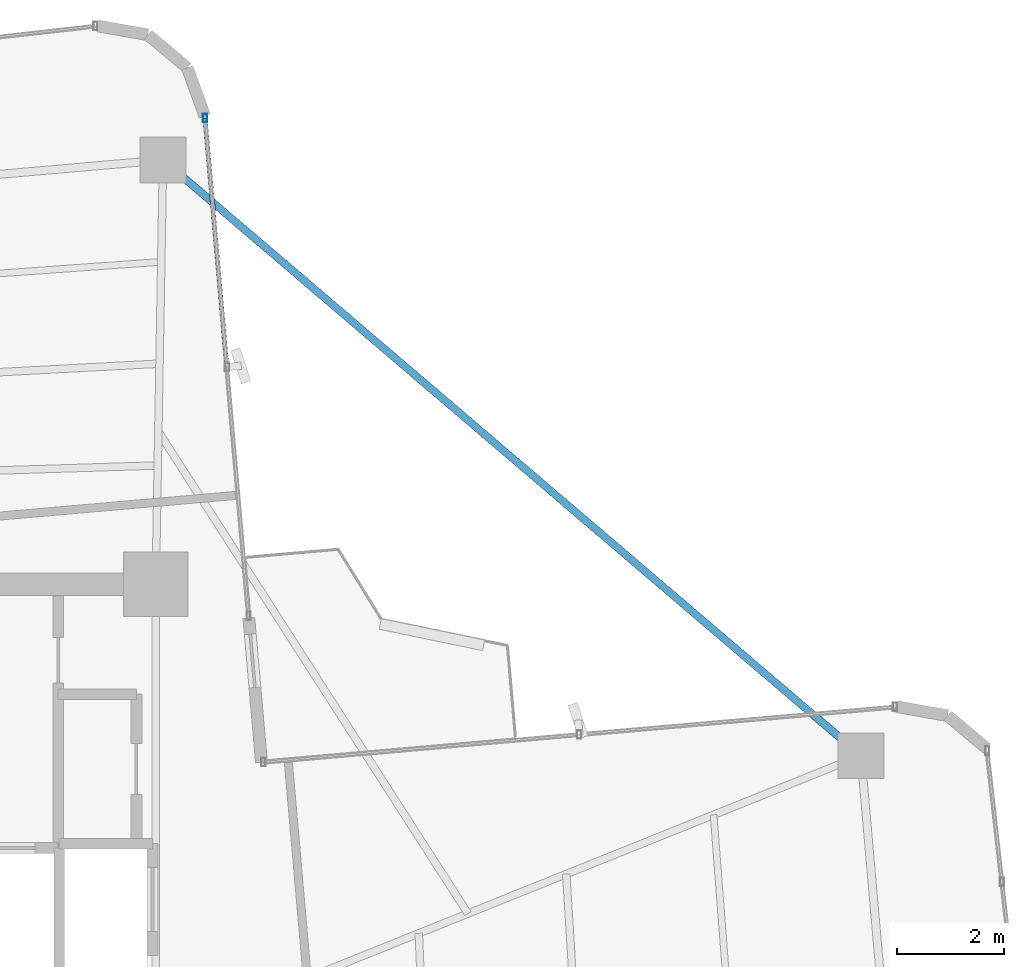
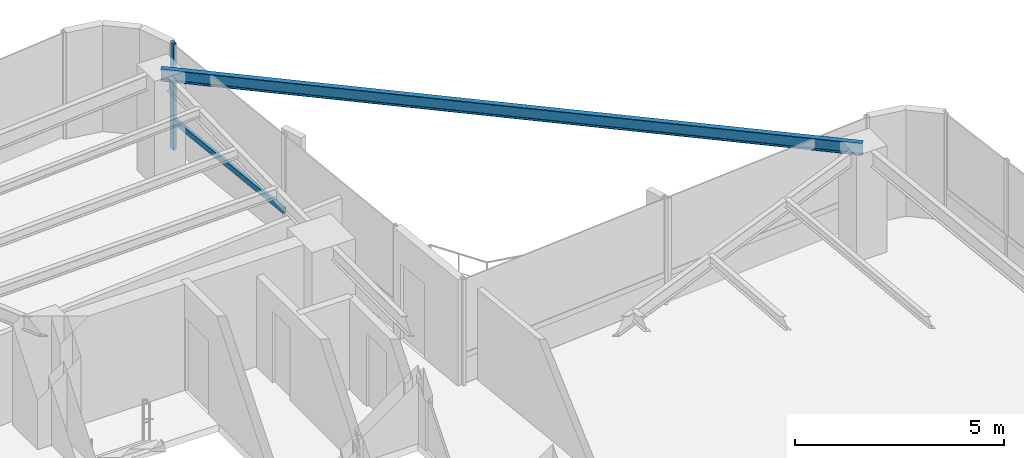
# One storey, part 17 of 24: 2 members, 1 beam, 1 element without a shape of its own.
"""IFC4 building model written with IfcOpenShell, lengths in metres."""

import ifcopenshell
import ifcopenshell.guid

model = None  # the IFC model being written
_history = None  # IfcOwnerHistory: only IFC2X3 demands one
_inside = {}  # id of a spatial element -> (the spatial element, [elements in it])
_under = {}  # id of a project, library or spatial element -> (it, [spatial elements below it])
_declared = {}  # id of a project -> (the project, [libraries it declares])
_typed = {}  # id of a type object -> (the type object, [elements of that type])
_made_of = {}  # id of a material, layer set ... -> (it, [elements and type objects made of it])


def new_model(schema):
    """Start an empty IFC model of exactly this schema.

    Asked for "IFC4X3", IfcOpenShell would pick the latest addendum, in which some entities
    have other attributes; the version numbers below select the first issue.
    IFC2X3 requires an IfcOwnerHistory on every rooted entity: one is made here for all.
    """
    global model, _history
    if schema == "IFC4X3":
        model = ifcopenshell.file(schema_version=(4, 3, 0, 0))
    else:
        model = ifcopenshell.file(schema=schema)
    _inside.clear()
    _under.clear()
    _declared.clear()
    _typed.clear()
    _made_of.clear()
    _history = None
    if model.schema == "IFC2X3":
        org = make("IfcOrganization", Name="unknown")
        user = make(
            "IfcPersonAndOrganization",
            ThePerson=make("IfcPerson", FamilyName="unknown"),
            TheOrganization=org,
        )
        app = make(
            "IfcApplication",
            ApplicationDeveloper=org,
            Version="unknown",
            ApplicationFullName="unknown",
            ApplicationIdentifier="unknown",
        )
        _history = make(
            "IfcOwnerHistory",
            OwningUser=user,
            OwningApplication=app,
            ChangeAction="ADDED",
            CreationDate=0,
        )
    return model


def make(cls, **values):
    """One entity of the class cls with the attributes given. An attribute that is None is left unset."""
    return model.create_entity(
        cls, **{name: value for name, value in values.items() if value is not None}
    )


def rooted(cls, **values):
    """An entity with a GlobalId (a new one), such as an element, a storey or a relation."""
    return make(cls, GlobalId=ifcopenshell.guid.new(), OwnerHistory=_history, **values)


def si_unit(unit_type, name, prefix=None):
    """IfcSIUnit, for example si_unit("LENGTHUNIT", "METRE", prefix="MILLI")."""
    return make("IfcSIUnit", UnitType=unit_type, Prefix=prefix, Name=name)


def assignment(units):
    """IfcUnitAssignment: the units of a project."""
    return None if units is None else make("IfcUnitAssignment", Units=units)


def point(xyz):
    """IfcCartesianPoint."""
    return None if xyz is None else make("IfcCartesianPoint", Coordinates=xyz)


def direction(xyz):
    """IfcDirection."""
    return None if xyz is None else make("IfcDirection", DirectionRatios=xyz)


def frame(location, z_axis=None, x_axis=None):
    """IfcAxis2Placement3D, a coordinate frame: its origin and axes. An axis left out is left unset."""
    return make(
        "IfcAxis2Placement3D",
        Location=point(location),
        Axis=direction(z_axis),
        RefDirection=direction(x_axis),
    )


def frame_2d(location, x_axis=None):
    """IfcAxis2Placement2D, a coordinate frame in the plane: its origin and x axis."""
    return make(
        "IfcAxis2Placement2D", Location=point(location), RefDirection=direction(x_axis)
    )


def origin():
    """The frame at (0, 0, 0) with its axes left unset."""
    return frame((0.0, 0.0, 0.0))


def origin_2d():
    """The frame at (0, 0) in the plane with its x axis left unset."""
    return frame_2d((0.0, 0.0))


def place(relative_to, where):
    """IfcLocalPlacement: puts the frame where relative to a parent placement (None: the world)."""
    return make(
        "IfcLocalPlacement", PlacementRelTo=relative_to, RelativePlacement=where
    )


def context(
    kind, dimensions, precision=None, world=None, true_north=None, identifier=None
):
    """IfcGeometricRepresentationContext, for example the 3D "Model" context."""
    return make(
        "IfcGeometricRepresentationContext",
        ContextIdentifier=identifier,
        ContextType=kind,
        CoordinateSpaceDimension=dimensions,
        Precision=precision,
        WorldCoordinateSystem=world,
        TrueNorth=true_north,
    )


def subcontext(parent, identifier, kind, view, scale=None):
    """IfcGeometricRepresentationSubContext, for example "Body" below "Model"."""
    return make(
        "IfcGeometricRepresentationSubContext",
        ContextIdentifier=identifier,
        ContextType=kind,
        ParentContext=parent,
        TargetScale=scale,
        TargetView=view,
    )


def project(units=None, contexts=None):
    """IfcProject with its units and contexts."""
    return rooted(
        "IfcProject",
        Name="project",
        RepresentationContexts=contexts,
        UnitsInContext=assignment(units),
    )


def spatial(cls, under=None, at=None, **own):
    """A site, building, storey or space (cls), placed at a placement, below another one or the project."""
    s = rooted(cls, ObjectPlacement=at, **own)
    if under is not None:
        _under.setdefault(under.id(), (under, []))[1].append(s)
    return s


def profile(cls, at=None, kind="AREA", **sizes):
    """A parametric profile (cls). Its sizes go by their IFC names, for example OverallWidth=200.0."""
    return make(cls, ProfileType=kind, Position=at, **sizes)


def hollow_rectangle(**sizes):
    """IfcRectangleHollowProfileDef."""
    return profile("IfcRectangleHollowProfileDef", **sizes)


def i_section(**sizes):
    """IfcIShapeProfileDef."""
    return profile("IfcIShapeProfileDef", **sizes)


def extrude(swept, where, along, depth):
    """IfcExtrudedAreaSolid: the profile swept, set in the frame where, extruded along a direction by depth."""
    return make(
        "IfcExtrudedAreaSolid",
        SweptArea=swept,
        Position=where,
        ExtrudedDirection=direction(along),
        Depth=depth,
    )


def shape(context_of_items, identifier, shape_type, items):
    """IfcShapeRepresentation: the items that make up one representation, for example the "Body"."""
    return make(
        "IfcShapeRepresentation",
        ContextOfItems=context_of_items,
        RepresentationIdentifier=identifier,
        RepresentationType=shape_type,
        Items=items,
    )


def source(mapping_origin, context_of_items, identifier, shape_type, items):
    """IfcRepresentationMap: a shape defined once, which mapped items show again and again."""
    return make(
        "IfcRepresentationMap",
        MappingOrigin=mapping_origin,
        MappedRepresentation=shape(context_of_items, identifier, shape_type, items),
    )


def transform(
    local_origin,
    x_axis=None,
    y_axis=None,
    z_axis=None,
    scale=None,
    scale2=None,
    scale3=None,
    uniform=True,
):
    """IfcCartesianTransformationOperator3D, or its non-uniform kind. x_axis, y_axis, z_axis: its Axis1, 2, 3."""
    if uniform:
        return make(
            "IfcCartesianTransformationOperator3D",
            Axis1=direction(x_axis),
            Axis2=direction(y_axis),
            LocalOrigin=point(local_origin),
            Scale=scale,
            Axis3=direction(z_axis),
        )
    return make(
        "IfcCartesianTransformationOperator3DnonUniform",
        Axis1=direction(x_axis),
        Axis2=direction(y_axis),
        LocalOrigin=point(local_origin),
        Scale=scale,
        Axis3=direction(z_axis),
        Scale2=scale2,
        Scale3=scale3,
    )


def mapped(mapping_source, mapping_target):
    """IfcMappedItem: shows the shape of a source again, moved by a transform."""
    return make(
        "IfcMappedItem", MappingSource=mapping_source, MappingTarget=mapping_target
    )


def material(Name=None, Category=None):
    """IfcMaterial."""
    return make("IfcMaterial", Name=Name, Category=Category)


def material_profile(
    of_material, cross_section, Name=None, Category=None, Priority=None
):
    """IfcMaterialProfile: a cross section and its material."""
    return make(
        "IfcMaterialProfile",
        Name=Name,
        Material=of_material,
        Profile=cross_section,
        Priority=Priority,
        Category=Category,
    )


def profile_set(profiles, Name=None, composite=None):
    """IfcMaterialProfileSet."""
    return make(
        "IfcMaterialProfileSet",
        Name=Name,
        MaterialProfiles=profiles,
        CompositeProfile=composite,
    )


def made_of(thing, what):
    """Note that an element or type object is made of a material, layer set ...; save() writes the relation."""
    if what is not None:
        _made_of.setdefault(what.id(), (what, []))[1].append(thing)
    return thing


def type_object(cls, material=None, **own):
    """A type object (cls), such as IfcWallType, which elements share."""
    return made_of(rooted(cls, **own), material)


def element(
    cls,
    number,
    at=None,
    inside=None,
    cuts=None,
    type_object=None,
    material=None,
    context=None,
    identifier="Body",
    shape_type=None,
    held_by="IfcProductDefinitionShape",
    body=None,
    shapes=None,
    **own,
):
    """One element of the class cls, such as IfcWall. Its Tag is "e" and its number.

    at: its placement. inside: the storey or other place that contains it. cuts: it is an
    opening in that element (IfcRelVoidsElement). A single representation is given by context,
    identifier, shape_type and body (its items); several are given by shapes. held_by: the class
    of the entity that holds the representations. save() writes the other relations.
    """
    e = rooted(cls, Tag="e%d" % number, ObjectPlacement=at, **own)
    if body is not None:
        shapes = [shape(context, identifier, shape_type, body)]
    if shapes is not None:
        e.Representation = make(held_by, Representations=shapes)
    if inside is not None:
        _inside.setdefault(inside.id(), (inside, []))[1].append(e)
    if cuts is not None:
        rooted(
            "IfcRelVoidsElement", RelatingBuildingElement=cuts, RelatedOpeningElement=e
        )
    if type_object is not None:
        _typed.setdefault(type_object.id(), (type_object, []))[1].append(e)
    return made_of(e, material)


def aggregate(whole, parts):
    """IfcRelAggregates: a whole, such as a stair, and the parts it consists of."""
    return rooted("IfcRelAggregates", RelatingObject=whole, RelatedObjects=parts)


def save(model, path):
    """Write the relations noted so far, then the file.

    IfcRelAggregates (storeys below a building ...), IfcRelContainedInSpatialStructure (elements
    in a storey), IfcRelDefinesByType, IfcRelAssociatesMaterial and IfcRelDeclares: one each for
    every whole, place, type object, material and project.
    """
    for whole, parts in _under.values():
        aggregate(whole, parts)
    for where, things in _inside.values():
        rooted(
            "IfcRelContainedInSpatialStructure",
            RelatedElements=things,
            RelatingStructure=where,
        )
    for kind, things in _typed.values():
        rooted("IfcRelDefinesByType", RelatedObjects=things, RelatingType=kind)
    for what, things in _made_of.values():
        rooted("IfcRelAssociatesMaterial", RelatedObjects=things, RelatingMaterial=what)
    for by, libraries in _declared.values():
        rooted("IfcRelDeclares", RelatingContext=by, RelatedDefinitions=libraries)
    model.write(path)


model = new_model("IFC4")

# Units and contexts
model_context = context("Model", 3, precision=1e-05, world=origin(), true_north=direction((0.0, 1.0)))
body_context = subcontext(model_context, "Body", "Model", "MODEL_VIEW")
ifc_project = project(units=[si_unit("LENGTHUNIT", "METRE"), si_unit("AREAUNIT", "SQUARE_METRE"), si_unit("VOLUMEUNIT", "CUBIC_METRE"), si_unit("PLANEANGLEUNIT", "RADIAN"), si_unit("MASSUNIT", "GRAM", prefix="KILO")], contexts=[model_context])

# Site, building, storey
site_placement = place(None, origin())
site = spatial("IfcSite", under=ifc_project, at=site_placement, CompositionType="ELEMENT")
building_placement = place(site_placement, origin())
building = spatial("IfcBuilding", under=site, at=building_placement, Name="Sahyath Konkavel Grand Hotel", CompositionType="ELEMENT")
storey_placement = place(building_placement, frame((0.0, 0.0, 185.25)))
storey = spatial("IfcBuildingStorey", under=building, at=storey_placement, Name="L51", CompositionType="ELEMENT", Elevation=185.25)

# Beam
ifc_material_1 = material(Name="Steel E350", Category="steel")
ifc_material_profile_1 = material_profile(ifc_material_1, i_section(OverallWidth=0.139892578125, OverallDepth=0.35009765625, WebThickness=0.008056640625, FlangeThickness=0.01416015625, FilletRadius=0.013916015625, at=origin_2d()), Name="ISMB 350")
ifc_profile_set_1 = profile_set([ifc_material_profile_1], Name="Steel E350")
beam_type = type_object("IfcBeamType", Name="BM-ISMB350", PredefinedType="BEAM", material=ifc_profile_set_1)
shared_shape_1 = source(origin(), body_context, "Body", "SweptSolid", [
    extrude(i_section(OverallWidth=0.139892578125, OverallDepth=0.35009765625, WebThickness=0.008056640625, FlangeThickness=0.01416015625, FilletRadius=0.013916015625, at=origin_2d()), origin(), (0.0, 0.0, 1.0), 17.11279296875),
])
beam_placement = place(storey_placement, frame((16.9541015625, 7.00439453125, 2.93505859375), z_axis=(-0.760711911164, 0.649089661151, 0.0), x_axis=(-0.649089661151, -0.760711911164, 0.0)))
element("IfcBeam", 1, at=beam_placement, inside=storey, type_object=beam_type, Name="L51 Re-Entrant Tie Beam NE", PredefinedType="BEAM", context=body_context, shape_type="MappedRepresentation", body=[
    mapped(shared_shape_1, transform((0.0, 0.0, 0.0), scale=1.0)),
])

# Curtain wall, members
ifc_material_2 = material(Name="Anodised Bronze Aluminium & Low-E Glazing", Category="aluminium")
curtain_wall_type = type_object("IfcCurtainWallType", Name="CW-ZONE3", PredefinedType="NOTDEFINED", material=ifc_material_2)
curtain_wall_placement = place(storey_placement, origin())
curtain_wall = element("IfcCurtainWall", 2, at=curtain_wall_placement, inside=storey, type_object=curtain_wall_type, Name="L51 Unitised Curtain Wall F8", PredefinedType="NOTDEFINED")
ifc_material_3 = material(Name="Anodised Bronze Aluminium", Category="aluminium")
ifc_material_profile_2 = material_profile(ifc_material_3, hollow_rectangle(XDim=0.080078125, YDim=0.159912109375, WallThickness=0.006103515625, at=origin_2d()), Name="RHS 160x80x6")
ifc_profile_set_2 = profile_set([ifc_material_profile_2], Name="Anodised Bronze Aluminium")
member_type_1 = type_object("IfcMemberType", Name="CW-MUL-160", PredefinedType="MULLION", material=ifc_profile_set_2)
shared_shape_2 = source(origin(), body_context, "Body", "SweptSolid", [
    extrude(hollow_rectangle(XDim=0.080078125, YDim=0.159912109375, WallThickness=0.006103515625, at=origin_2d()), origin(), (0.0, 0.0, 1.0), 3.110107421875),
])
member_1_placement = place(storey_placement, frame((4.72119140625, 18.893310546875, 0.0), z_axis=(0.0, 0.0, 1.0), x_axis=(1.0, 0.0, 0.0)))
member_1 = element("IfcMember", 3, at=member_1_placement, type_object=member_type_1, Name="L51 Curtain Wall Mullion F8-2", PredefinedType="MULLION", context=body_context, shape_type="MappedRepresentation", body=[
    mapped(shared_shape_2, transform((0.0, 0.0, 0.0), scale=1.0)),
])
ifc_material_profile_3 = material_profile(ifc_material_3, hollow_rectangle(XDim=0.080078125, YDim=0.159912109375, WallThickness=0.006103515625, at=origin_2d()), Name="RHS 160x80x6")
ifc_profile_set_3 = profile_set([ifc_material_profile_3], Name="Anodised Bronze Aluminium")
member_type_2 = type_object("IfcMemberType", Name="CW-TRN-160", PredefinedType="USERDEFINED", material=ifc_profile_set_3)
shared_shape_3 = source(origin(), body_context, "Body", "SweptSolid", [
    extrude(hollow_rectangle(XDim=0.080078125, YDim=0.159912109375, WallThickness=0.006103515625, at=origin_2d()), origin(), (0.0, 0.0, 1.0), 4.659912109375),
])
member_2_placement = place(storey_placement, frame((5.12744140625, 14.251220703125, 0.85009765625), z_axis=(-0.087181248758, 0.996192466276, 0.0), x_axis=(-0.996192466276, -0.087181248758, 0.0)))
member_2 = element("IfcMember", 4, at=member_2_placement, type_object=member_type_2, Name="L51 Curtain Wall Transom F8-1-spandrel", ObjectType="TRANSOM", PredefinedType="USERDEFINED", context=body_context, shape_type="MappedRepresentation", body=[
    mapped(shared_shape_3, transform((0.0, 0.0, 0.0), scale=1.0)),
])
aggregate(curtain_wall, [member_1, member_2])

save(model, "model.ifc")
